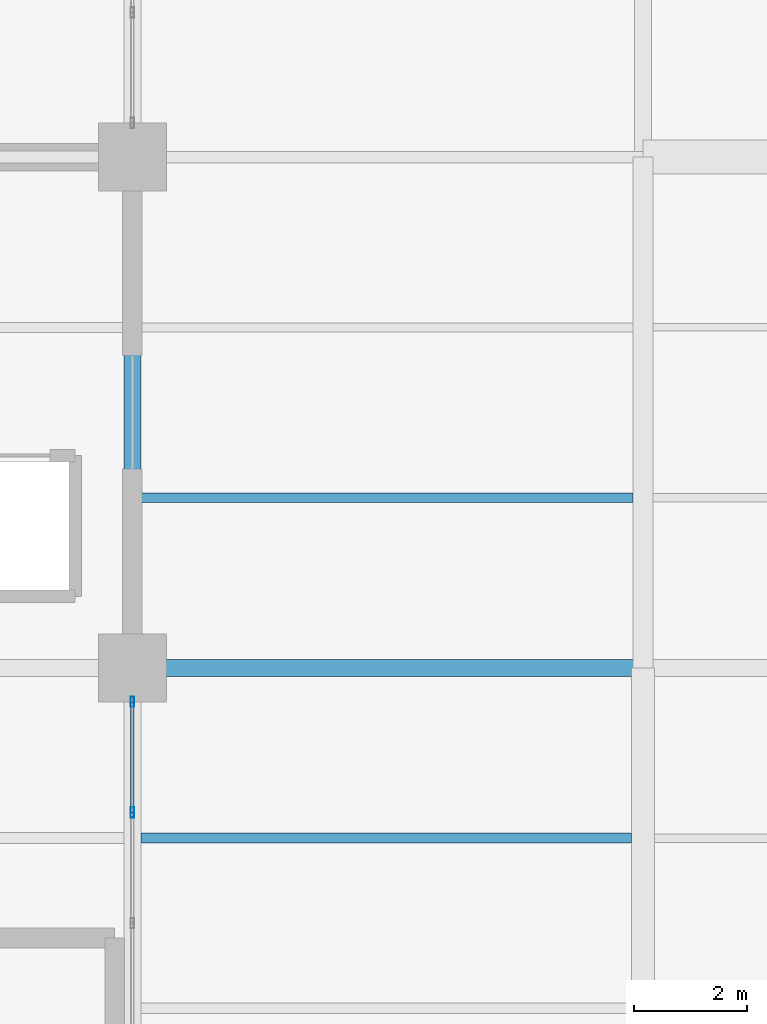
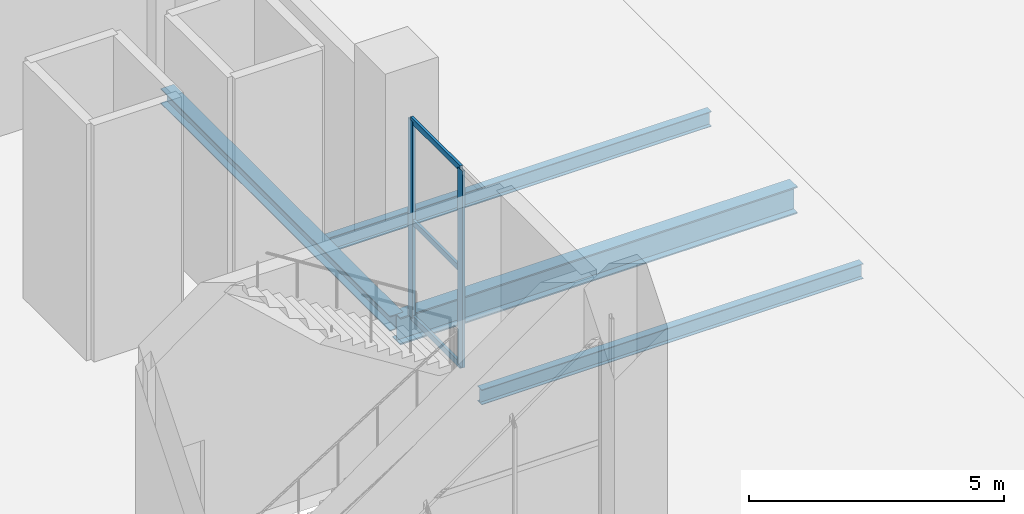
# One storey, part 38 of 144: 5 members, 4 beams, 1 element without a shape of its own.
"""IFC4 building model written with IfcOpenShell, lengths in metres."""

from ifc_helpers import new_model, si_unit, direction, frame, origin, origin_2d, place, context, subcontext, project, spatial, hollow_rectangle, i_section, extrude, material, layer, layer_set, material_profile, profile_set, type_object, element, aggregate, save


model = new_model("IFC4")

# Units and contexts
model_context = context("Model", 3, precision=1e-05, world=origin(), true_north=direction((0.0, 1.0)))
body_context = subcontext(model_context, "Body", "Model", "MODEL_VIEW")
ifc_project = project(units=[si_unit("LENGTHUNIT", "METRE"), si_unit("AREAUNIT", "SQUARE_METRE"), si_unit("VOLUMEUNIT", "CUBIC_METRE"), si_unit("PLANEANGLEUNIT", "RADIAN"), si_unit("MASSUNIT", "GRAM", prefix="KILO")], contexts=[model_context])

# Site, building, storey
site_placement = place(None, origin())
site = spatial("IfcSite", under=ifc_project, at=site_placement, CompositionType="ELEMENT")
building_placement = place(site_placement, origin())
building = spatial("IfcBuilding", under=site, at=building_placement, Name="Sundgate Opera House", CompositionType="ELEMENT")
storey_placement = place(building_placement, origin())
storey = spatial("IfcBuildingStorey", under=building, at=storey_placement, Name="L00", CompositionType="ELEMENT", Elevation=0.0)

# Beams
ifc_material_1 = material(Name="Steel S355J2", Category="steel")
ifc_material_profile_1 = material_profile(ifc_material_1, i_section(OverallWidth=0.300048828125, OverallDepth=0.360107421875, WebThickness=0.012451171875, FlangeThickness=0.0224609375, at=origin_2d()), Name="HEB 360")
ifc_profile_set_1 = profile_set([ifc_material_profile_1], Name="Steel S355J2")
beam_type_1 = type_object("IfcBeamType", Name="BM-GR-HEB360", PredefinedType="BEAM", material=ifc_profile_set_1)
beam_1_placement = place(storey_placement, frame((72.0, 51.0, -0.5), z_axis=(0.0, 1.0, 0.0), x_axis=(-1.0, 0.0, 0.0)))
element("IfcBeam", 1, at=beam_1_placement, inside=storey, type_object=beam_type_1, Name="L00 Primary N-S Girder B0154", PredefinedType="BEAM", context=body_context, shape_type="SweptSolid", body=[
    extrude(i_section(OverallWidth=0.300048828125, OverallDepth=0.360107421875, WebThickness=0.012451171875, FlangeThickness=0.0224609375, at=origin_2d()), origin(), (0.0, 0.0, 1.0), 9.0),
])
ifc_material_2 = material(Name="Steel S355J2", Category="steel")
ifc_material_profile_2 = material_profile(ifc_material_2, i_section(OverallWidth=0.300048828125, OverallDepth=0.64990234375, WebThickness=0.01611328125, FlangeThickness=0.031005859375, at=origin_2d()), Name="HEB 650")
ifc_profile_set_2 = profile_set([ifc_material_profile_2], Name="Steel S355J2")
beam_type_2 = type_object("IfcBeamType", Name="BM-GR-HEB650", PredefinedType="BEAM", material=ifc_profile_set_2)
beam_2_placement = place(storey_placement, frame((72.0, 51.0, -0.64501953125), z_axis=(1.0, 0.0, 0.0), x_axis=(0.0, 1.0, 0.0)))
element("IfcBeam", 2, at=beam_2_placement, inside=storey, type_object=beam_type_2, Name="L00 Primary E-W Girder B0433", PredefinedType="BEAM", context=body_context, shape_type="SweptSolid", body=[
    extrude(i_section(OverallWidth=0.300048828125, OverallDepth=0.64990234375, WebThickness=0.01611328125, FlangeThickness=0.031005859375, at=origin_2d()), origin(), (0.0, 0.0, 1.0), 9.0),
])
ifc_material_3 = material(Name="Steel S355J2", Category="steel")
ifc_material_profile_3 = material_profile(ifc_material_3, i_section(OverallWidth=0.169921875, OverallDepth=0.360107421875, WebThickness=0.008056640625, FlangeThickness=0.0126953125, at=origin_2d()), Name="IPE 360")
ifc_profile_set_3 = profile_set([ifc_material_profile_3], Name="Steel S355J2")
beam_type_3 = type_object("IfcBeamType", Name="BM-JS-IPE360", PredefinedType="JOIST", material=ifc_profile_set_3)
beam_3_placement = place(storey_placement, frame((72.14990234375, 48.0, -0.5), z_axis=(1.0, 0.0, 0.0), x_axis=(0.0, 1.0, 0.0)))
element("IfcBeam", 3, at=beam_3_placement, inside=storey, type_object=beam_type_3, Name="L00 Secondary Floor Joist B0758", PredefinedType="JOIST", context=body_context, shape_type="SweptSolid", body=[
    extrude(i_section(OverallWidth=0.169921875, OverallDepth=0.360107421875, WebThickness=0.008056640625, FlangeThickness=0.0126953125, at=origin_2d()), origin(), (0.0, 0.0, 1.0), 8.650146484375),
])
beam_4_placement = place(storey_placement, frame((72.14990234375, 54.0, -0.5), z_axis=(1.0, 0.0, 0.0), x_axis=(0.0, 1.0, 0.0)))
element("IfcBeam", 4, at=beam_4_placement, inside=storey, type_object=beam_type_3, Name="L00 Secondary Floor Joist B0786", PredefinedType="JOIST", context=body_context, shape_type="SweptSolid", body=[
    extrude(i_section(OverallWidth=0.169921875, OverallDepth=0.360107421875, WebThickness=0.008056640625, FlangeThickness=0.0126953125, at=origin_2d()), origin(), (0.0, 0.0, 1.0), 8.675048828125),
])

# Curtain wall, members
ifc_material_4 = material(Name="Anodized aluminium and low-iron glass", Category="aluminium")
ifc_layer = layer(ifc_material_4, 0.179931640625)
ifc_layer_set = layer_set([ifc_layer], Name="Anodized aluminium and low-iron glass")
curtain_wall_type = type_object("IfcCurtainWallType", Name="CW-FOYER-GLASS", PredefinedType="NOTDEFINED", material=ifc_layer_set)
curtain_wall_placement = place(storey_placement, origin())
curtain_wall = element("IfcCurtainWall", 5, at=curtain_wall_placement, inside=storey, type_object=curtain_wall_type, Name="L00 Curtain Wall CW008", PredefinedType="NOTDEFINED")
ifc_material_5 = material(Name="Anodized aluminium EN AW-6063", Category="aluminium")
ifc_material_profile_4 = material_profile(ifc_material_5, hollow_rectangle(XDim=0.06494140625, YDim=0.179931640625, WallThickness=0.00390625, at=origin_2d()), Name="CWM 180x65x4")
ifc_profile_set_4 = profile_set([ifc_material_profile_4], Name="Anodized aluminium EN AW-6063")
member_type_1 = type_object("IfcMemberType", Name="CWM-ALU-180x65", PredefinedType="MULLION", material=ifc_profile_set_4)
member_1_placement = place(storey_placement, frame((72.0, 48.449951171875, 0.0), z_axis=(0.0, 0.0, 1.0), x_axis=(1.0, 0.0, 0.0)))
member_1 = element("IfcMember", 6, at=member_1_placement, type_object=member_type_1, Name="CW008 Mullion 4", PredefinedType="MULLION", context=body_context, shape_type="SweptSolid", body=[
    extrude(hollow_rectangle(XDim=0.06494140625, YDim=0.179931640625, WallThickness=0.00390625, at=origin_2d()), origin(), (0.0, 0.0, 1.0), 4.715087890625),
])
member_2_placement = place(storey_placement, frame((72.0, 50.39990234375, 0.0), z_axis=(0.0, 0.0, 1.0), x_axis=(1.0, 0.0, 0.0)))
member_2 = element("IfcMember", 7, at=member_2_placement, type_object=member_type_1, Name="CW008 Mullion 5", PredefinedType="MULLION", context=body_context, shape_type="SweptSolid", body=[
    extrude(hollow_rectangle(XDim=0.06494140625, YDim=0.179931640625, WallThickness=0.00390625, at=origin_2d()), origin(), (0.0, 0.0, 1.0), 4.715087890625),
])
ifc_material_6 = material(Name="Anodized aluminium EN AW-6063", Category="aluminium")
ifc_material_profile_5 = material_profile(ifc_material_6, hollow_rectangle(XDim=0.06005859375, YDim=0.139892578125, WallThickness=0.00390625, at=origin_2d()), Name="CWT 140x60x4")
ifc_profile_set_5 = profile_set([ifc_material_profile_5], Name="Anodized aluminium EN AW-6063")
member_type_2 = type_object("IfcMemberType", Name="CWT-ALU-140x60", PredefinedType="USERDEFINED", material=ifc_profile_set_5)
member_3_placement = place(storey_placement, frame((72.0, 48.449951171875, 0.0), z_axis=(0.0, 1.0, 0.0), x_axis=(-1.0, 0.0, 0.0)))
member_3 = element("IfcMember", 8, at=member_3_placement, type_object=member_type_2, Name="CW008 Transom 10", ObjectType="TRANSOM", PredefinedType="USERDEFINED", context=body_context, shape_type="SweptSolid", body=[
    extrude(hollow_rectangle(XDim=0.06005859375, YDim=0.139892578125, WallThickness=0.00390625, at=origin_2d()), origin(), (0.0, 0.0, 1.0), 1.949951171875),
])
member_4_placement = place(storey_placement, frame((72.0, 48.449951171875, 2.300048828125), z_axis=(0.0, 1.0, 0.0), x_axis=(-1.0, 0.0, 0.0)))
member_4 = element("IfcMember", 9, at=member_4_placement, type_object=member_type_2, Name="CW008 Transom 11", ObjectType="TRANSOM", PredefinedType="USERDEFINED", context=body_context, shape_type="SweptSolid", body=[
    extrude(hollow_rectangle(XDim=0.06005859375, YDim=0.139892578125, WallThickness=0.00390625, at=origin_2d()), origin(), (0.0, 0.0, 1.0), 1.949951171875),
])
member_5_placement = place(storey_placement, frame((72.0, 48.449951171875, 4.715087890625), z_axis=(0.0, 1.0, 0.0), x_axis=(-1.0, 0.0, 0.0)))
member_5 = element("IfcMember", 10, at=member_5_placement, type_object=member_type_2, Name="CW008 Transom 12", ObjectType="TRANSOM", PredefinedType="USERDEFINED", context=body_context, shape_type="SweptSolid", body=[
    extrude(hollow_rectangle(XDim=0.06005859375, YDim=0.139892578125, WallThickness=0.00390625, at=origin_2d()), origin(), (0.0, 0.0, 1.0), 1.949951171875),
])
aggregate(curtain_wall, [member_1, member_2, member_3, member_4, member_5])

save(model, "model.ifc")
